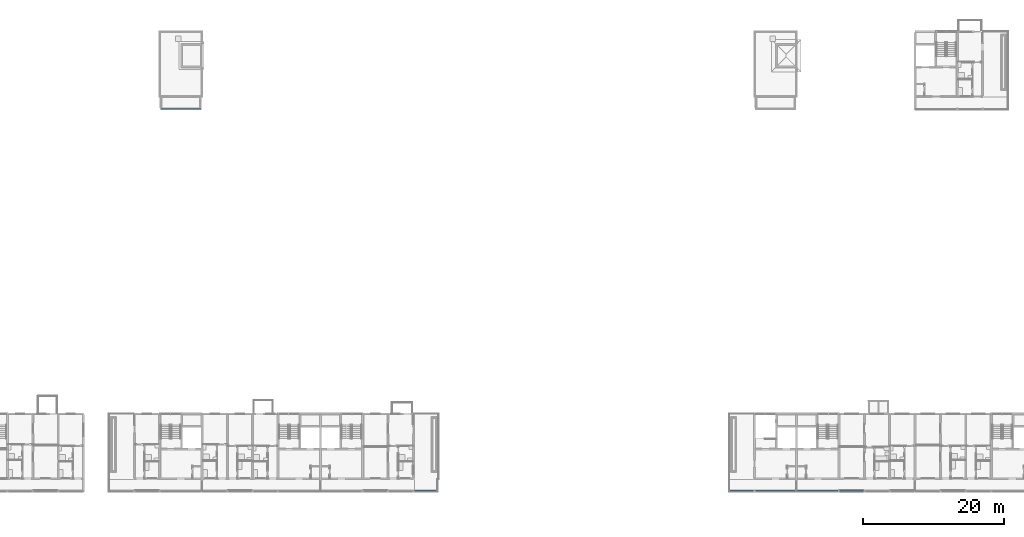
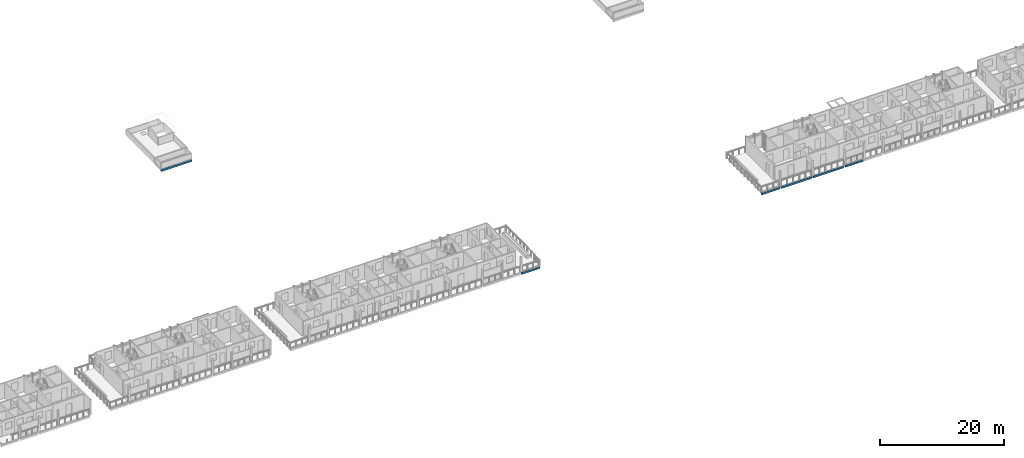
# One storey, part 8 of 64: 6 beams.
"""IFC4 building model written with IfcOpenShell, lengths in metres."""

from ifc_helpers import new_model, si_unit, direction, frame, origin, origin_2d, place, context, subcontext, project, spatial, rectangle, extrude, material, material_profile, profile_set, type_object, element, save


model = new_model("IFC4")

# Units and contexts
model_context = context("Model", 3, precision=1e-05, world=origin(), true_north=direction((0.0, 1.0)))
body_context = subcontext(model_context, "Body", "Model", "MODEL_VIEW")
ifc_project = project(units=[si_unit("LENGTHUNIT", "METRE"), si_unit("AREAUNIT", "SQUARE_METRE"), si_unit("VOLUMEUNIT", "CUBIC_METRE"), si_unit("PLANEANGLEUNIT", "RADIAN"), si_unit("MASSUNIT", "GRAM", prefix="KILO")], contexts=[model_context])

# Site, building, storey
site_placement = place(None, origin())
site = spatial("IfcSite", under=ifc_project, at=site_placement, CompositionType="ELEMENT")
building_placement = place(site_placement, origin())
building = spatial("IfcBuilding", under=site, at=building_placement, Name="Ridgestep Commons", CompositionType="ELEMENT")
storey_placement = place(building_placement, frame((0.0, 0.0, 33.0)))
storey = spatial("IfcBuildingStorey", under=building, at=storey_placement, Name="L11", CompositionType="ELEMENT", Elevation=33.0)

# Beams
ifc_material = material(Name="Precast concrete C40/50", Category="concrete")
ifc_material_profile = material_profile(ifc_material, rectangle(XDim=0.25, YDim=0.35009765625, at=origin_2d()), Name="PC 250x350")
ifc_profile_set = profile_set([ifc_material_profile], Name="Precast concrete C40/50")
beam_type = type_object("IfcBeamType", Name="Loggia edge beam 250 x 350", PredefinedType="SPANDREL", material=ifc_profile_set)
beam_1_placement = place(storey_placement, frame((109.324951171875, 11.875, -0.375), z_axis=(1.0, 0.0, 0.0), x_axis=(0.0, 1.0, 0.0)))
element("IfcBeam", 1, at=beam_1_placement, inside=storey, type_object=beam_type, Name="Loggia edge beam A6T1 L11", PredefinedType="SPANDREL", context=body_context, shape_type="SweptSolid", body=[
    extrude(rectangle(XDim=0.25, YDim=0.35009765625, at=origin_2d()), origin(), (0.0, 0.0, 1.0), 3.324951171875),
])
beam_2_placement = place(storey_placement, frame((73.324951171875, 66.125, -0.375), z_axis=(1.0, 0.0, 0.0), x_axis=(0.0, 1.0, 0.0)))
element("IfcBeam", 2, at=beam_2_placement, inside=storey, type_object=beam_type, Name="Loggia edge beam B4C L11", PredefinedType="SPANDREL", context=body_context, shape_type="SweptSolid", body=[
    extrude(rectangle(XDim=0.25, YDim=0.35009765625, at=origin_2d()), origin(), (0.0, 0.0, 1.0), 5.72509765625),
])
beam_3_placement = place(storey_placement, frame((154.125, 11.875, -0.375), z_axis=(1.0, 0.0, 0.0), x_axis=(0.0, 1.0, 0.0)))
element("IfcBeam", 3, at=beam_3_placement, inside=storey, type_object=beam_type, Name="Loggia edge beam D1T3 L11", PredefinedType="SPANDREL", context=body_context, shape_type="SweptSolid", body=[
    extrude(rectangle(XDim=0.25, YDim=0.35009765625, at=origin_2d()), origin(), (0.0, 0.0, 1.0), 3.35009765625),
])
beam_4_placement = place(storey_placement, frame((157.72509765625, 11.875, -0.375), z_axis=(1.0, 0.0, 0.0), x_axis=(0.0, 1.0, 0.0)))
element("IfcBeam", 4, at=beam_4_placement, inside=storey, type_object=beam_type, Name="Loggia edge beam D1C L11", PredefinedType="SPANDREL", context=body_context, shape_type="SweptSolid", body=[
    extrude(rectangle(XDim=0.25, YDim=0.35009765625, at=origin_2d()), origin(), (0.0, 0.0, 1.0), 5.724853515625),
])
beam_5_placement = place(storey_placement, frame((163.75, 11.875, -0.375), z_axis=(1.0, 0.0, 0.0), x_axis=(0.0, 1.0, 0.0)))
element("IfcBeam", 5, at=beam_5_placement, inside=storey, type_object=beam_type, Name="Loggia edge beam D2C L11", PredefinedType="SPANDREL", context=body_context, shape_type="SweptSolid", body=[
    extrude(rectangle(XDim=0.25, YDim=0.35009765625, at=origin_2d()), origin(), (0.0, 0.0, 1.0), 5.72509765625),
])
beam_6_placement = place(storey_placement, frame((169.72509765625, 11.875, -0.375), z_axis=(1.0, 0.0, 0.0), x_axis=(0.0, 1.0, 0.0)))
element("IfcBeam", 6, at=beam_6_placement, inside=storey, type_object=beam_type, Name="Loggia edge beam D2T3 L11", PredefinedType="SPANDREL", context=body_context, shape_type="SweptSolid", body=[
    extrude(rectangle(XDim=0.25, YDim=0.35009765625, at=origin_2d()), origin(), (0.0, 0.0, 1.0), 3.349853515625),
])

save(model, "model.ifc")
